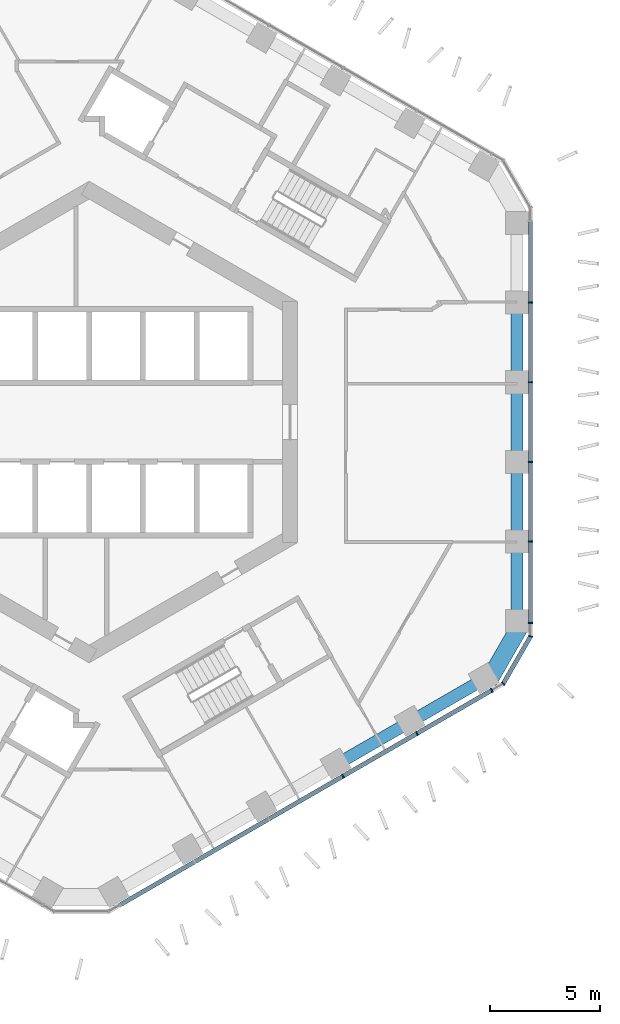
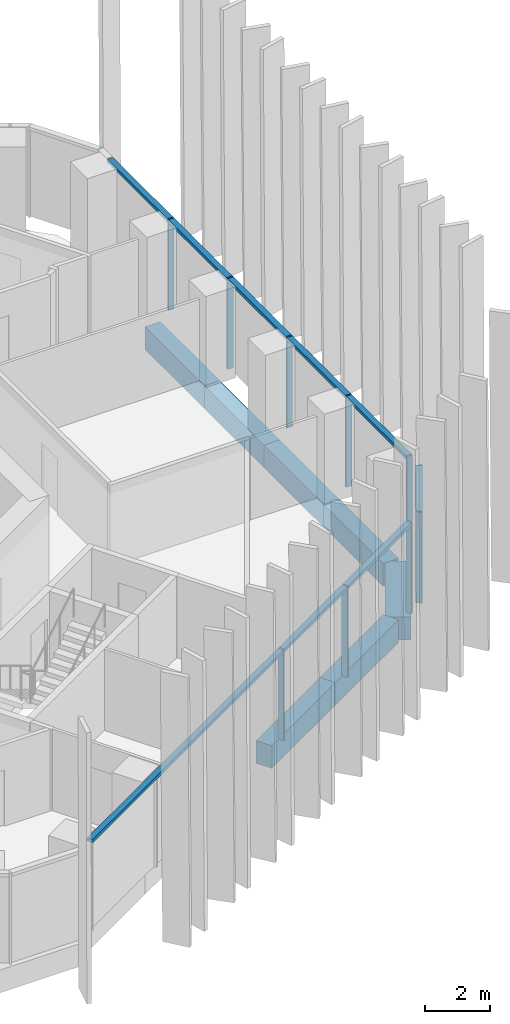
# One storey, part 4 of 19: 13 members, 7 beams, 3 elements without a shape of their own.
"""IFC4 building model written with IfcOpenShell, lengths in metres."""

from ifc_helpers import new_model, si_unit, direction, frame, origin, origin_2d, place, context, subcontext, project, spatial, rectangle, extrude, material, layer, layer_set, material_profile, profile_set, type_object, element, aggregate, save


model = new_model("IFC4")

# Units and contexts
model_context = context("Model", 3, precision=1e-05, world=origin(), true_north=direction((0.0, 1.0)))
body_context = subcontext(model_context, "Body", "Model", "MODEL_VIEW")
ifc_project = project(units=[si_unit("LENGTHUNIT", "METRE"), si_unit("AREAUNIT", "SQUARE_METRE"), si_unit("VOLUMEUNIT", "CUBIC_METRE"), si_unit("PLANEANGLEUNIT", "RADIAN"), si_unit("MASSUNIT", "GRAM", prefix="KILO")], contexts=[model_context])

# Site, building, storey
site_placement = place(None, origin())
site = spatial("IfcSite", under=ifc_project, at=site_placement, CompositionType="ELEMENT")
building_placement = place(site_placement, origin())
building = spatial("IfcBuilding", under=site, at=building_placement, Name="Ayvan Gate Tower", CompositionType="ELEMENT")
storey_placement = place(building_placement, frame((0.0, 0.0, 103.5)))
storey = spatial("IfcBuildingStorey", under=building, at=storey_placement, Name="L27", CompositionType="ELEMENT", Elevation=103.5)

# Beams
ifc_material_1 = material(Name="Concrete C40/50", Category="concrete")
ifc_material_profile_1 = material_profile(ifc_material_1, rectangle(XDim=0.800048828125, YDim=0.85009765625, at=origin_2d()), Name="RC 800x850")
ifc_profile_set_1 = profile_set([ifc_material_profile_1], Name="Concrete C40/50")
beam_type_1 = type_object("IfcBeamType", Name="Corner spandrel beam RC 800x850 C40/50", PredefinedType="BEAM", material=ifc_profile_set_1)
beam_1_placement = place(storey_placement, frame((18.176025390625, -11.83056640625, -0.77490234375), z_axis=(0.499990139034, 0.866031096941, 0.0), x_axis=(-0.866031096941, 0.499990139034, 0.0)))
element("IfcBeam", 1, at=beam_1_placement, inside=storey, type_object=beam_type_1, Name="SB-L27-36", PredefinedType="BEAM", context=body_context, shape_type="SweptSolid", body=[
    extrude(rectangle(XDim=0.800048828125, YDim=0.85009765625, at=origin_2d()), origin(), (0.0, 0.0, 1.0), 3.0),
])
ifc_material_profile_2 = material_profile(ifc_material_1, rectangle(XDim=0.550048828125, YDim=0.85009765625, at=origin_2d()), Name="RC 550x850")
ifc_profile_set_2 = profile_set([ifc_material_profile_2], Name="Concrete C40/50")
beam_type_2 = type_object("IfcBeamType", Name="Spandrel beam RC 550x850 C40/50", PredefinedType="BEAM", material=ifc_profile_set_2)
for number, where, z_axis, x_axis, name in (
    (2, (19.485595703125, -9.122314453125, -0.77490234375), (0.0, 1.0, 0.0), (-1.0, 0.0, 0.0), "SB-L27-1"),
    (3, (19.485595703125, -5.473388671875, -0.77490234375), (0.0, 1.0, 0.0), (-1.0, 0.0, 0.0), "SB-L27-2"),
    (4, (19.485595703125, -1.824462890625, -0.77490234375), (0.0, 1.0, 0.0), (-1.0, 0.0, 0.0), "SB-L27-3"),
    (5, (19.485595703125, 1.824462890625, -0.77490234375), (0.0, 1.0, 0.0), (-1.0, 0.0, 0.0), "SB-L27-4"),
):
    element("IfcBeam", number, at=place(storey_placement, frame(where, z_axis=z_axis, x_axis=x_axis)), inside=storey, type_object=beam_type_2, Name=name, PredefinedType="BEAM", context=body_context, shape_type="SweptSolid", body=[
        extrude(rectangle(XDim=0.550048828125, YDim=0.85009765625, at=origin_2d()), origin(), (0.0, 0.0, 1.0), 3.64892578125),
    ])
beam_2_placement = place(storey_placement, frame((11.25439453125, -15.606689453125, -0.77490234375), z_axis=(0.866019241107, 0.500010673919, 0.0), x_axis=(-0.500010673919, 0.866019241107, 0.0)))
element("IfcBeam", 6, at=beam_2_placement, inside=storey, type_object=beam_type_2, Name="SB-L27-34", PredefinedType="BEAM", context=body_context, shape_type="SweptSolid", body=[
    extrude(rectangle(XDim=0.550048828125, YDim=0.85009765625, at=origin_2d()), origin(), (0.0, 0.0, 1.0), 3.88623046875),
])
beam_3_placement = place(storey_placement, frame((14.619873046875, -13.66357421875, -0.77490234375), z_axis=(0.866034946322, 0.499983471476, 0.0), x_axis=(-0.499983471476, 0.866034946322, 0.0)))
element("IfcBeam", 7, at=beam_3_placement, inside=storey, type_object=beam_type_2, Name="SB-L27-35", PredefinedType="BEAM", context=body_context, shape_type="SweptSolid", body=[
    extrude(rectangle(XDim=0.550048828125, YDim=0.85009765625, at=origin_2d()), origin(), (0.0, 0.0, 1.0), 3.886474609375),
])

# Curtain wall, members
ifc_material_2 = material(Name="Bronze anodised aluminium", Category="aluminium")
ifc_layer_1 = layer(ifc_material_2, 0.199951171875)
ifc_layer_set_1 = layer_set([ifc_layer_1], Name="Bronze anodised aluminium")
curtain_wall_type_1 = type_object("IfcCurtainWallType", Name="Stick curtain wall CW-1", PredefinedType="NOTDEFINED", material=ifc_layer_set_1)
curtain_wall_1_placement = place(storey_placement, origin())
curtain_wall_1 = element("IfcCurtainWall", 8, at=curtain_wall_1_placement, inside=storey, type_object=curtain_wall_type_1, Name="Stick curtain wall CW-1 L27", PredefinedType="NOTDEFINED")
ifc_material_profile_3 = material_profile(ifc_material_2, rectangle(XDim=0.199951171875, YDim=0.06005859375, at=origin_2d()), Name="Stick curtain wall CW-1 mullion 200 x 60")
ifc_profile_set_3 = profile_set([ifc_material_profile_3], Name="Bronze anodised aluminium")
member_type_1 = type_object("IfcMemberType", Name="Stick curtain wall CW-1 mullion 200 x 60", PredefinedType="MULLION", material=ifc_profile_set_3)
member_1_placement = place(storey_placement, frame((11.564453125, -16.1337890625, 0.0), z_axis=(0.0, 0.0, 1.0), x_axis=(0.5, -0.866025403784, 0.0)))
member_1 = element("IfcMember", 9, at=member_1_placement, type_object=member_type_1, Name="CW-1 mullion 4", PredefinedType="MULLION", context=body_context, shape_type="SweptSolid", body=[
    extrude(rectangle(XDim=0.199951171875, YDim=0.06005859375, at=origin_2d()), origin(), (0.0, 0.0, 1.0), 3.39990234375),
])
member_2_placement = place(storey_placement, frame((14.9384765625, -14.185791015625, 0.0), z_axis=(0.0, 0.0, 1.0), x_axis=(0.5, -0.866025403784, 0.0)))
member_2 = element("IfcMember", 10, at=member_2_placement, type_object=member_type_1, Name="CW-1 mullion 5", PredefinedType="MULLION", context=body_context, shape_type="SweptSolid", body=[
    extrude(rectangle(XDim=0.199951171875, YDim=0.06005859375, at=origin_2d()), origin(), (0.0, 0.0, 1.0), 3.39990234375),
])
member_3_placement = place(storey_placement, frame((18.34326171875, -12.219970703125, 0.0), z_axis=(0.0, 0.0, 1.0), x_axis=(0.5, -0.866025403784, 0.0)))
member_3 = element("IfcMember", 11, at=member_3_placement, type_object=member_type_1, Name="CW-1 mullion 6", PredefinedType="MULLION", context=body_context, shape_type="SweptSolid", body=[
    extrude(rectangle(XDim=0.199951171875, YDim=0.06005859375, at=origin_2d()), origin(), (0.0, 0.0, 1.0), 3.39990234375),
])

curtain_wall_2_placement = place(storey_placement, origin())
curtain_wall_2 = element("IfcCurtainWall", 12, at=curtain_wall_2_placement, inside=storey, type_object=curtain_wall_type_1, Name="Stick curtain wall CW-1 L27", PredefinedType="NOTDEFINED")
member_4_placement = place(storey_placement, frame((20.110595703125, -9.1591796875, 0.0), z_axis=(0.0, 0.0, 1.0), x_axis=(1.0, 0.0, 0.0)))
member_4 = element("IfcMember", 13, at=member_4_placement, type_object=member_type_1, Name="CW-1 mullion 1", PredefinedType="MULLION", context=body_context, shape_type="SweptSolid", body=[
    extrude(rectangle(XDim=0.199951171875, YDim=0.06005859375, at=origin_2d()), origin(), (0.0, 0.0, 1.0), 3.39990234375),
])
member_5_placement = place(storey_placement, frame((20.110595703125, -5.443115234375, 0.0), z_axis=(0.0, 0.0, 1.0), x_axis=(1.0, 0.0, 0.0)))
member_5 = element("IfcMember", 14, at=member_5_placement, type_object=member_type_1, Name="CW-1 mullion 2", PredefinedType="MULLION", context=body_context, shape_type="SweptSolid", body=[
    extrude(rectangle(XDim=0.199951171875, YDim=0.06005859375, at=origin_2d()), origin(), (0.0, 0.0, 1.0), 3.39990234375),
])
member_6_placement = place(storey_placement, frame((20.110595703125, -1.81396484375, 0.0), z_axis=(0.0, 0.0, 1.0), x_axis=(1.0, 0.0, 0.0)))
member_6 = element("IfcMember", 15, at=member_6_placement, type_object=member_type_1, Name="CW-1 mullion 3", PredefinedType="MULLION", context=body_context, shape_type="SweptSolid", body=[
    extrude(rectangle(XDim=0.199951171875, YDim=0.06005859375, at=origin_2d()), origin(), (0.0, 0.0, 1.0), 3.39990234375),
])
member_7_placement = place(storey_placement, frame((20.110595703125, 1.81494140625, 0.0), z_axis=(0.0, 0.0, 1.0), x_axis=(1.0, 0.0, 0.0)))
member_7 = element("IfcMember", 16, at=member_7_placement, type_object=member_type_1, Name="CW-1 mullion 4", PredefinedType="MULLION", context=body_context, shape_type="SweptSolid", body=[
    extrude(rectangle(XDim=0.199951171875, YDim=0.06005859375, at=origin_2d()), origin(), (0.0, 0.0, 1.0), 3.39990234375),
])
member_8_placement = place(storey_placement, frame((20.110595703125, 5.44384765625, 0.0), z_axis=(0.0, 0.0, 1.0), x_axis=(1.0, 0.0, 0.0)))
member_8 = element("IfcMember", 17, at=member_8_placement, type_object=member_type_1, Name="CW-1 mullion 5", PredefinedType="MULLION", context=body_context, shape_type="SweptSolid", body=[
    extrude(rectangle(XDim=0.199951171875, YDim=0.06005859375, at=origin_2d()), origin(), (0.0, 0.0, 1.0), 3.39990234375),
])

# Member
ifc_material_profile_4 = material_profile(ifc_material_2, rectangle(XDim=0.199951171875, YDim=0.1201171875, at=origin_2d()), Name="Stick curtain wall CW-1 transom 200 x 120")
ifc_profile_set_4 = profile_set([ifc_material_profile_4], Name="Bronze anodised aluminium")
member_type_2 = type_object("IfcMemberType", Name="Stick curtain wall CW-1 transom 200 x 120", PredefinedType="USERDEFINED", material=ifc_profile_set_4)
member_9_placement = place(storey_placement, frame((1.4111328125, -21.995849609375, 3.340087890625), z_axis=(0.866022973691, 0.500004209022, 0.0), x_axis=(-0.500004209022, 0.866022973691, 0.0)))
member_9 = element("IfcMember", 18, at=member_9_placement, type_object=member_type_2, Name="CW-1 transom 1", ObjectType="TRANSOM", PredefinedType="USERDEFINED", context=body_context, shape_type="SweptSolid", body=[
    extrude(rectangle(XDim=0.199951171875, YDim=0.1201171875, at=origin_2d()), origin(), (0.0, 0.0, 1.0), 19.551513671875),
])

aggregate(curtain_wall_1, [member_1, member_2, member_3, member_9])

member_10_placement = place(storey_placement, frame((20.110595703125, -9.1591796875, 3.340087890625), z_axis=(0.0, 1.0, 0.0), x_axis=(-1.0, 0.0, 0.0)))
member_10 = element("IfcMember", 19, at=member_10_placement, type_object=member_type_2, Name="CW-1 transom 1", ObjectType="TRANSOM", PredefinedType="USERDEFINED", context=body_context, shape_type="SweptSolid", body=[
    extrude(rectangle(XDim=0.199951171875, YDim=0.1201171875, at=origin_2d()), origin(), (0.0, 0.0, 1.0), 18.318359375),
])

aggregate(curtain_wall_2, [member_4, member_5, member_6, member_7, member_8, member_10])

# Curtain wall, members
ifc_layer_2 = layer(ifc_material_2, 0.199951171875)
ifc_layer_set_2 = layer_set([ifc_layer_2], Name="Bronze anodised aluminium")
curtain_wall_type_2 = type_object("IfcCurtainWallType", Name="Stick curtain wall CW-6", PredefinedType="NOTDEFINED", material=ifc_layer_set_2)
curtain_wall_3_placement = place(storey_placement, origin())
curtain_wall_3 = element("IfcCurtainWall", 20, at=curtain_wall_3_placement, inside=storey, type_object=curtain_wall_type_2, Name="Stick curtain wall CW-6 L27", PredefinedType="NOTDEFINED")
ifc_material_profile_5 = material_profile(ifc_material_2, rectangle(XDim=0.199951171875, YDim=0.050048828125, at=origin_2d()), Name="Stick curtain wall CW-6 mullion 200 x 50")
ifc_profile_set_5 = profile_set([ifc_material_profile_5], Name="Bronze anodised aluminium")
member_type_3 = type_object("IfcMemberType", Name="Stick curtain wall CW-6 mullion 200 x 50", PredefinedType="MULLION", material=ifc_profile_set_5)
member_11_placement = place(storey_placement, frame((18.8671875, -11.91748046875, 0.0), z_axis=(0.0, 0.0, 1.0), x_axis=(0.707106781187, -0.707106781187, 0.0)))
member_11 = element("IfcMember", 21, at=member_11_placement, type_object=member_type_3, Name="CW-6 mullion 2", PredefinedType="MULLION", context=body_context, shape_type="SweptSolid", body=[
    extrude(rectangle(XDim=0.199951171875, YDim=0.050048828125, at=origin_2d()), origin(), (0.0, 0.0, 1.0), 3.39990234375),
])
member_12_placement = place(storey_placement, frame((20.110595703125, -9.76416015625, 0.0), z_axis=(0.0, 0.0, 1.0), x_axis=(0.965925826289, -0.258819045103, 0.0)))
member_12 = element("IfcMember", 22, at=member_12_placement, type_object=member_type_3, Name="CW-6 mullion 3", PredefinedType="MULLION", context=body_context, shape_type="SweptSolid", body=[
    extrude(rectangle(XDim=0.199951171875, YDim=0.050048828125, at=origin_2d()), origin(), (0.0, 0.0, 1.0), 3.39990234375),
])
ifc_material_profile_6 = material_profile(ifc_material_2, rectangle(XDim=0.199951171875, YDim=0.1201171875, at=origin_2d()), Name="Stick curtain wall CW-6 transom 200 x 120")
ifc_profile_set_6 = profile_set([ifc_material_profile_6], Name="Bronze anodised aluminium")
member_type_4 = type_object("IfcMemberType", Name="Stick curtain wall CW-6 transom 200 x 120", PredefinedType="USERDEFINED", material=ifc_profile_set_6)
member_13_placement = place(storey_placement, frame((18.8798828125, -11.895751953125, 3.340087890625), z_axis=(0.499997116, 0.866027068856, 0.0), x_axis=(-0.866027068856, 0.499997116, 0.0)))
member_13 = element("IfcMember", 23, at=member_13_placement, type_object=member_type_4, Name="CW-6 transom 2", ObjectType="TRANSOM", PredefinedType="USERDEFINED", context=body_context, shape_type="SweptSolid", body=[
    extrude(rectangle(XDim=0.199951171875, YDim=0.1201171875, at=origin_2d()), origin(), (0.0, 0.0, 1.0), 2.4365234375),
])
aggregate(curtain_wall_3, [member_11, member_12, member_13])

save(model, "model.ifc")
